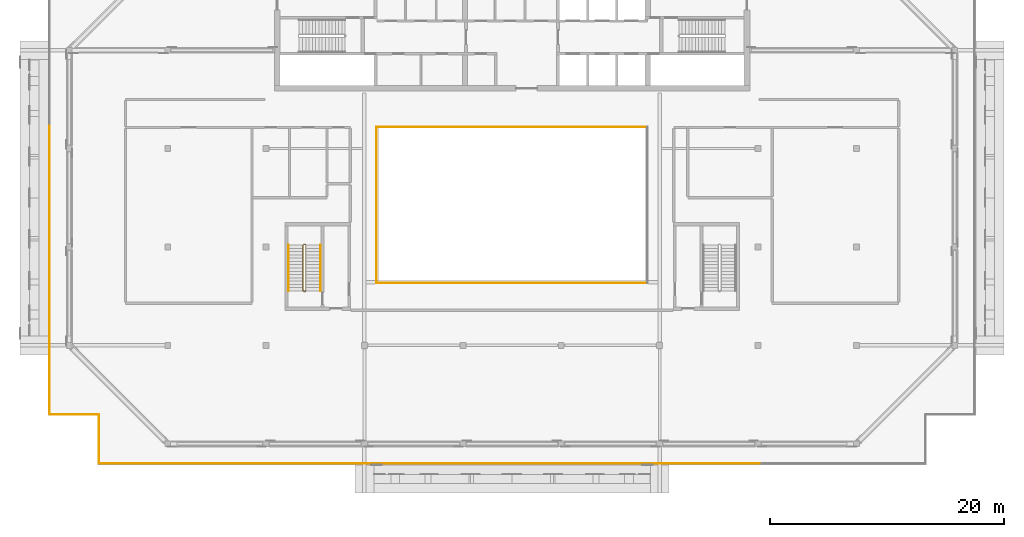
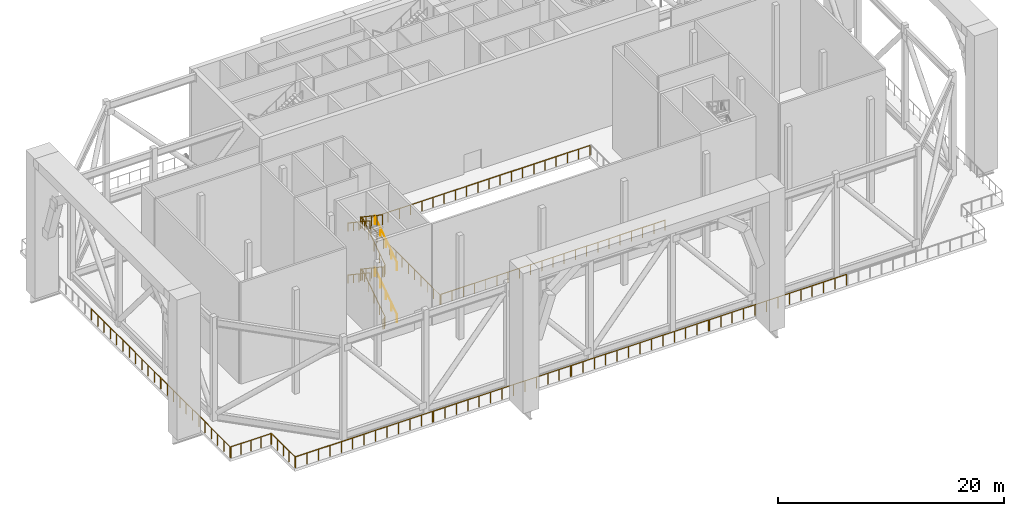
# One storey, part 17 of 20: 16 railings.
"""IFC4 building model written with IfcOpenShell, lengths in metres."""

from ifc_helpers import new_model, si_unit, direction, frame, origin, origin_2d, place, context, subcontext, project, spatial, circle, extrude, material, type_object, element, save


model = new_model("IFC4")

# Units and contexts
model_context = context("Model", 3, precision=1e-05, world=origin(), true_north=direction((0.0, 1.0)))
body_context = subcontext(model_context, "Body", "Model", "MODEL_VIEW")
ifc_project = project(units=[si_unit("LENGTHUNIT", "METRE"), si_unit("AREAUNIT", "SQUARE_METRE"), si_unit("VOLUMEUNIT", "CUBIC_METRE"), si_unit("PLANEANGLEUNIT", "RADIAN"), si_unit("MASSUNIT", "GRAM", prefix="KILO")], contexts=[model_context])

# Site, building, storey
site_placement = place(None, origin())
site = spatial("IfcSite", under=ifc_project, at=site_placement, CompositionType="ELEMENT")
building_placement = place(site_placement, origin())
building = spatial("IfcBuilding", under=site, at=building_placement, Name="Saffron Gate Tower", CompositionType="ELEMENT")
storey_placement = place(building_placement, frame((0.0, 0.0, 252.300048828125)))
storey = spatial("IfcBuildingStorey", under=building, at=storey_placement, Name="L62", CompositionType="ELEMENT", Elevation=252.300048828125)

# Railings
ifc_material_1 = material(Name="Stainless steel and laminated glass", Category="steel")
railing_type_1 = type_object("IfcRailingType", Name="AG1 Atrium edge guard 1100", PredefinedType="GUARDRAIL", material=ifc_material_1)
railing_1_placement = place(storey_placement, frame((76.02001953125, 45.5400390625, 0.0)))
element("IfcRailing", 1, at=railing_1_placement, inside=storey, type_object=railing_type_1, Name="Guard X3-1", PredefinedType="GUARDRAIL", context=body_context, shape_type="SweptSolid", body=[
    extrude(circle(Radius=0.02392578125, at=origin_2d()), frame((0.0, 0.0, 1.076171875), z_axis=(0.0, 1.0, 0.0), x_axis=(-1.0, 0.0, 0.0)), (0.0, 0.0, 1.0), 13.320068359375),
    extrude(circle(Radius=0.02099609375, at=origin_2d()), origin(), (0.0, 0.0, 1.0), 1.052001953125),
    extrude(circle(Radius=0.02099609375, at=origin_2d()), frame((0.0, 1.110107421875, 0.0)), (0.0, 0.0, 1.0), 1.052001953125),
    extrude(circle(Radius=0.02099609375, at=origin_2d()), frame((0.0, 2.219970703125, 0.0)), (0.0, 0.0, 1.0), 1.052001953125),
    extrude(circle(Radius=0.02099609375, at=origin_2d()), frame((0.0, 3.330078125, 0.0)), (0.0, 0.0, 1.0), 1.052001953125),
    extrude(circle(Radius=0.02099609375, at=origin_2d()), frame((0.0, 4.43994140625, 0.0)), (0.0, 0.0, 1.0), 1.052001953125),
    extrude(circle(Radius=0.02099609375, at=origin_2d()), frame((0.0, 5.550048828125, 0.0)), (0.0, 0.0, 1.0), 1.052001953125),
    extrude(circle(Radius=0.02099609375, at=origin_2d()), frame((0.0, 6.66015625, 0.0)), (0.0, 0.0, 1.0), 1.052001953125),
    extrude(circle(Radius=0.02099609375, at=origin_2d()), frame((0.0, 7.77001953125, 0.0)), (0.0, 0.0, 1.0), 1.052001953125),
    extrude(circle(Radius=0.02099609375, at=origin_2d()), frame((0.0, 8.880126953125, 0.0)), (0.0, 0.0, 1.0), 1.052001953125),
    extrude(circle(Radius=0.02099609375, at=origin_2d()), frame((0.0, 9.989990234375, 0.0)), (0.0, 0.0, 1.0), 1.052001953125),
    extrude(circle(Radius=0.02099609375, at=origin_2d()), frame((0.0, 11.10009765625, 0.0)), (0.0, 0.0, 1.0), 1.052001953125),
    extrude(circle(Radius=0.02099609375, at=origin_2d()), frame((0.0, 12.2099609375, 0.0)), (0.0, 0.0, 1.0), 1.052001953125),
    extrude(circle(Radius=0.02099609375, at=origin_2d()), frame((0.0, 13.320068359375, 0.0)), (0.0, 0.0, 1.0), 1.052001953125),
])
railing_2_placement = place(storey_placement, frame((76.139892578125, 58.860107421875, 0.0)))
element("IfcRailing", 2, at=railing_2_placement, inside=storey, type_object=railing_type_1, Name="Guard X3-2", PredefinedType="GUARDRAIL", context=body_context, shape_type="SweptSolid", body=[
    extrude(circle(Radius=0.02392578125, at=origin_2d()), frame((0.0, 0.0, 1.076171875), z_axis=(1.0, 0.0, 0.0), x_axis=(0.0, 1.0, 0.0)), (0.0, 0.0, 1.0), 22.920166015625),
    extrude(circle(Radius=0.02099609375, at=origin_2d()), origin(), (0.0, 0.0, 1.0), 1.052001953125),
    extrude(circle(Radius=0.02099609375, at=origin_2d()), frame((1.14599609375, 0.0, 0.0)), (0.0, 0.0, 1.0), 1.052001953125),
    extrude(circle(Radius=0.02099609375, at=origin_2d()), frame((2.2919921875, 0.0, 0.0)), (0.0, 0.0, 1.0), 1.052001953125),
    extrude(circle(Radius=0.02099609375, at=origin_2d()), frame((3.43798828125, 0.0, 0.0)), (0.0, 0.0, 1.0), 1.052001953125),
    extrude(circle(Radius=0.02099609375, at=origin_2d()), frame((4.583984375, 0.0, 0.0)), (0.0, 0.0, 1.0), 1.052001953125),
    extrude(circle(Radius=0.02099609375, at=origin_2d()), frame((5.72998046875, 0.0, 0.0)), (0.0, 0.0, 1.0), 1.052001953125),
    extrude(circle(Radius=0.02099609375, at=origin_2d()), frame((6.8759765625, 0.0, 0.0)), (0.0, 0.0, 1.0), 1.052001953125),
    extrude(circle(Radius=0.02099609375, at=origin_2d()), frame((8.02197265625, 0.0, 0.0)), (0.0, 0.0, 1.0), 1.052001953125),
    extrude(circle(Radius=0.02099609375, at=origin_2d()), frame((9.16796875, 0.0, 0.0)), (0.0, 0.0, 1.0), 1.052001953125),
    extrude(circle(Radius=0.02099609375, at=origin_2d()), frame((10.31396484375, 0.0, 0.0)), (0.0, 0.0, 1.0), 1.052001953125),
    extrude(circle(Radius=0.02099609375, at=origin_2d()), frame((11.4599609375, 0.0, 0.0)), (0.0, 0.0, 1.0), 1.052001953125),
    extrude(circle(Radius=0.02099609375, at=origin_2d()), frame((12.606201171875, 0.0, 0.0)), (0.0, 0.0, 1.0), 1.052001953125),
    extrude(circle(Radius=0.02099609375, at=origin_2d()), frame((13.752197265625, 0.0, 0.0)), (0.0, 0.0, 1.0), 1.052001953125),
    extrude(circle(Radius=0.02099609375, at=origin_2d()), frame((14.898193359375, 0.0, 0.0)), (0.0, 0.0, 1.0), 1.052001953125),
    extrude(circle(Radius=0.02099609375, at=origin_2d()), frame((16.044189453125, 0.0, 0.0)), (0.0, 0.0, 1.0), 1.052001953125),
    extrude(circle(Radius=0.02099609375, at=origin_2d()), frame((17.190185546875, 0.0, 0.0)), (0.0, 0.0, 1.0), 1.052001953125),
    extrude(circle(Radius=0.02099609375, at=origin_2d()), frame((18.336181640625, 0.0, 0.0)), (0.0, 0.0, 1.0), 1.052001953125),
    extrude(circle(Radius=0.02099609375, at=origin_2d()), frame((19.482177734375, 0.0, 0.0)), (0.0, 0.0, 1.0), 1.052001953125),
    extrude(circle(Radius=0.02099609375, at=origin_2d()), frame((20.628173828125, 0.0, 0.0)), (0.0, 0.0, 1.0), 1.052001953125),
    extrude(circle(Radius=0.02099609375, at=origin_2d()), frame((21.774169921875, 0.0, 0.0)), (0.0, 0.0, 1.0), 1.052001953125),
    extrude(circle(Radius=0.02099609375, at=origin_2d()), frame((22.920166015625, 0.0, 0.0)), (0.0, 0.0, 1.0), 1.052001953125),
])
railing_3_placement = place(storey_placement, frame((99.06005859375, 45.5400390625, 0.0)))
element("IfcRailing", 3, at=railing_3_placement, inside=storey, type_object=railing_type_1, Name="Guard X3-4", PredefinedType="GUARDRAIL", context=body_context, shape_type="SweptSolid", body=[
    extrude(circle(Radius=0.02392578125, at=origin_2d()), frame((0.0, 0.0, 1.076171875), z_axis=(-1.0, 0.0, 0.0), x_axis=(0.0, -1.0, 0.0)), (0.0, 0.0, 1.0), 22.920166015625),
    extrude(circle(Radius=0.02099609375, at=origin_2d()), origin(), (0.0, 0.0, 1.0), 1.052001953125),
    extrude(circle(Radius=0.02099609375, at=origin_2d()), frame((-1.14599609375, 0.0, 0.0)), (0.0, 0.0, 1.0), 1.052001953125),
    extrude(circle(Radius=0.02099609375, at=origin_2d()), frame((-2.2919921875, 0.0, 0.0)), (0.0, 0.0, 1.0), 1.052001953125),
    extrude(circle(Radius=0.02099609375, at=origin_2d()), frame((-3.43798828125, 0.0, 0.0)), (0.0, 0.0, 1.0), 1.052001953125),
    extrude(circle(Radius=0.02099609375, at=origin_2d()), frame((-4.583984375, 0.0, 0.0)), (0.0, 0.0, 1.0), 1.052001953125),
    extrude(circle(Radius=0.02099609375, at=origin_2d()), frame((-5.72998046875, 0.0, 0.0)), (0.0, 0.0, 1.0), 1.052001953125),
    extrude(circle(Radius=0.02099609375, at=origin_2d()), frame((-6.8759765625, 0.0, 0.0)), (0.0, 0.0, 1.0), 1.052001953125),
    extrude(circle(Radius=0.02099609375, at=origin_2d()), frame((-8.02197265625, 0.0, 0.0)), (0.0, 0.0, 1.0), 1.052001953125),
    extrude(circle(Radius=0.02099609375, at=origin_2d()), frame((-9.16796875, 0.0, 0.0)), (0.0, 0.0, 1.0), 1.052001953125),
    extrude(circle(Radius=0.02099609375, at=origin_2d()), frame((-10.31396484375, 0.0, 0.0)), (0.0, 0.0, 1.0), 1.052001953125),
    extrude(circle(Radius=0.02099609375, at=origin_2d()), frame((-11.4599609375, 0.0, 0.0)), (0.0, 0.0, 1.0), 1.052001953125),
    extrude(circle(Radius=0.02099609375, at=origin_2d()), frame((-12.606201171875, 0.0, 0.0)), (0.0, 0.0, 1.0), 1.052001953125),
    extrude(circle(Radius=0.02099609375, at=origin_2d()), frame((-13.752197265625, 0.0, 0.0)), (0.0, 0.0, 1.0), 1.052001953125),
    extrude(circle(Radius=0.02099609375, at=origin_2d()), frame((-14.898193359375, 0.0, 0.0)), (0.0, 0.0, 1.0), 1.052001953125),
    extrude(circle(Radius=0.02099609375, at=origin_2d()), frame((-16.044189453125, 0.0, 0.0)), (0.0, 0.0, 1.0), 1.052001953125),
    extrude(circle(Radius=0.02099609375, at=origin_2d()), frame((-17.190185546875, 0.0, 0.0)), (0.0, 0.0, 1.0), 1.052001953125),
    extrude(circle(Radius=0.02099609375, at=origin_2d()), frame((-18.336181640625, 0.0, 0.0)), (0.0, 0.0, 1.0), 1.052001953125),
    extrude(circle(Radius=0.02099609375, at=origin_2d()), frame((-19.482177734375, 0.0, 0.0)), (0.0, 0.0, 1.0), 1.052001953125),
    extrude(circle(Radius=0.02099609375, at=origin_2d()), frame((-20.628173828125, 0.0, 0.0)), (0.0, 0.0, 1.0), 1.052001953125),
    extrude(circle(Radius=0.02099609375, at=origin_2d()), frame((-21.774169921875, 0.0, 0.0)), (0.0, 0.0, 1.0), 1.052001953125),
    extrude(circle(Radius=0.02099609375, at=origin_2d()), frame((-22.920166015625, 0.0, 0.0)), (0.0, 0.0, 1.0), 1.052001953125),
])
ifc_material_2 = material(Name="Stainless steel posts and toughened glass infill", Category="steel")
railing_type_2 = type_object("IfcRailingType", Name="BAL1 balustrade 1200", PredefinedType="BALUSTRADE", material=ifc_material_2)
for number, where, name in (
    (4, (48.1201171875, 58.919921875, 0.0), "GUARD portal deck edge"),
    (5, (48.1201171875, 46.60009765625, 0.0), "GUARD portal deck edge"),
):
    element("IfcRailing", number, at=place(storey_placement, frame(where)), inside=storey, type_object=railing_type_2, Name=name, PredefinedType="BALUSTRADE", context=body_context, shape_type="SweptSolid", body=[
        extrude(circle(Radius=0.02392578125, at=origin_2d()), frame((0.0, 0.0, 1.17578125), z_axis=(0.0, -1.0, 0.0), x_axis=(1.0, 0.0, 0.0)), (0.0, 0.0, 1.0), 12.239990234375),
        extrude(circle(Radius=0.02099609375, at=origin_2d()), origin(), (0.0, 0.0, 1.0), 1.15185546875),
        extrude(circle(Radius=0.02099609375, at=origin_2d()), frame((0.0, -1.11279296875, 0.0)), (0.0, 0.0, 1.0), 1.15185546875),
        extrude(circle(Radius=0.02099609375, at=origin_2d()), frame((0.0, -2.225341796875, 0.0)), (0.0, 0.0, 1.0), 1.15185546875),
        extrude(circle(Radius=0.02099609375, at=origin_2d()), frame((0.0, -3.338134765625, 0.0)), (0.0, 0.0, 1.0), 1.15185546875),
        extrude(circle(Radius=0.02099609375, at=origin_2d()), frame((0.0, -4.450927734375, 0.0)), (0.0, 0.0, 1.0), 1.15185546875),
        extrude(circle(Radius=0.02099609375, at=origin_2d()), frame((0.0, -5.563720703125, 0.0)), (0.0, 0.0, 1.0), 1.15185546875),
        extrude(circle(Radius=0.02099609375, at=origin_2d()), frame((0.0, -6.67626953125, 0.0)), (0.0, 0.0, 1.0), 1.15185546875),
        extrude(circle(Radius=0.02099609375, at=origin_2d()), frame((0.0, -7.7890625, 0.0)), (0.0, 0.0, 1.0), 1.15185546875),
        extrude(circle(Radius=0.02099609375, at=origin_2d()), frame((0.0, -8.90185546875, 0.0)), (0.0, 0.0, 1.0), 1.15185546875),
        extrude(circle(Radius=0.02099609375, at=origin_2d()), frame((0.0, -10.0146484375, 0.0)), (0.0, 0.0, 1.0), 1.15185546875),
        extrude(circle(Radius=0.02099609375, at=origin_2d()), frame((0.0, -11.127197265625, 0.0)), (0.0, 0.0, 1.0), 1.15185546875),
        extrude(circle(Radius=0.02099609375, at=origin_2d()), frame((0.0, -12.239990234375, 0.0)), (0.0, 0.0, 1.0), 1.15185546875),
    ])
railing_4_placement = place(storey_placement, frame((48.159912109375, 34.320068359375, 0.0)))
element("IfcRailing", 6, at=railing_4_placement, inside=storey, type_object=railing_type_2, Name="GUARD portal deck edge", PredefinedType="BALUSTRADE", context=body_context, shape_type="SweptSolid", body=[
    extrude(circle(Radius=0.02392578125, at=origin_2d()), frame((0.0, 0.0, 1.17578125), z_axis=(1.0, 0.0, 0.0), x_axis=(0.0, 1.0, 0.0)), (0.0, 0.0, 1.0), 4.1201171875),
    extrude(circle(Radius=0.02099609375, at=origin_2d()), origin(), (0.0, 0.0, 1.0), 1.15185546875),
    extrude(circle(Radius=0.02099609375, at=origin_2d()), frame((1.030029296875, 0.0, 0.0)), (0.0, 0.0, 1.0), 1.15185546875),
    extrude(circle(Radius=0.02099609375, at=origin_2d()), frame((2.06005859375, 0.0, 0.0)), (0.0, 0.0, 1.0), 1.15185546875),
    extrude(circle(Radius=0.02099609375, at=origin_2d()), frame((3.090087890625, 0.0, 0.0)), (0.0, 0.0, 1.0), 1.15185546875),
    extrude(circle(Radius=0.02099609375, at=origin_2d()), frame((4.1201171875, 0.0, 0.0)), (0.0, 0.0, 1.0), 1.15185546875),
])
railing_5_placement = place(storey_placement, frame((52.320068359375, 34.280029296875, 0.0)))
element("IfcRailing", 7, at=railing_5_placement, inside=storey, type_object=railing_type_2, Name="GUARD portal deck edge", PredefinedType="BALUSTRADE", context=body_context, shape_type="SweptSolid", body=[
    extrude(circle(Radius=0.02392578125, at=origin_2d()), frame((0.0, 0.0, 1.17578125), z_axis=(0.0, -1.0, 0.0), x_axis=(1.0, 0.0, 0.0)), (0.0, 0.0, 1.0), 4.1201171875),
    extrude(circle(Radius=0.02099609375, at=origin_2d()), origin(), (0.0, 0.0, 1.0), 1.15185546875),
    extrude(circle(Radius=0.02099609375, at=origin_2d()), frame((0.0, -1.030029296875, 0.0)), (0.0, 0.0, 1.0), 1.15185546875),
    extrude(circle(Radius=0.02099609375, at=origin_2d()), frame((0.0, -2.06005859375, 0.0)), (0.0, 0.0, 1.0), 1.15185546875),
    extrude(circle(Radius=0.02099609375, at=origin_2d()), frame((0.0, -3.090087890625, 0.0)), (0.0, 0.0, 1.0), 1.15185546875),
    extrude(circle(Radius=0.02099609375, at=origin_2d()), frame((0.0, -4.1201171875, 0.0)), (0.0, 0.0, 1.0), 1.15185546875),
])
railing_6_placement = place(storey_placement, frame((52.360107421875, 30.1201171875, 0.0)))
element("IfcRailing", 8, at=railing_6_placement, inside=storey, type_object=railing_type_2, Name="GUARD portal deck edge", PredefinedType="BALUSTRADE", context=body_context, shape_type="SweptSolid", body=[
    extrude(circle(Radius=0.02392578125, at=origin_2d()), frame((0.0, 0.0, 1.17578125), z_axis=(1.0, 0.0, 0.0), x_axis=(0.0, 1.0, 0.0)), (0.0, 0.0, 1.0), 14.031982421875),
    extrude(circle(Radius=0.02099609375, at=origin_2d()), origin(), (0.0, 0.0, 1.0), 1.15185546875),
    extrude(circle(Radius=0.02099609375, at=origin_2d()), frame((1.16943359375, 0.0, 0.0)), (0.0, 0.0, 1.0), 1.15185546875),
    extrude(circle(Radius=0.02099609375, at=origin_2d()), frame((2.338623046875, 0.0, 0.0)), (0.0, 0.0, 1.0), 1.15185546875),
    extrude(circle(Radius=0.02099609375, at=origin_2d()), frame((3.508056640625, 0.0, 0.0)), (0.0, 0.0, 1.0), 1.15185546875),
    extrude(circle(Radius=0.02099609375, at=origin_2d()), frame((4.67724609375, 0.0, 0.0)), (0.0, 0.0, 1.0), 1.15185546875),
    extrude(circle(Radius=0.02099609375, at=origin_2d()), frame((5.8466796875, 0.0, 0.0)), (0.0, 0.0, 1.0), 1.15185546875),
    extrude(circle(Radius=0.02099609375, at=origin_2d()), frame((7.01611328125, 0.0, 0.0)), (0.0, 0.0, 1.0), 1.15185546875),
    extrude(circle(Radius=0.02099609375, at=origin_2d()), frame((8.185302734375, 0.0, 0.0)), (0.0, 0.0, 1.0), 1.15185546875),
    extrude(circle(Radius=0.02099609375, at=origin_2d()), frame((9.354736328125, 0.0, 0.0)), (0.0, 0.0, 1.0), 1.15185546875),
    extrude(circle(Radius=0.02099609375, at=origin_2d()), frame((10.52392578125, 0.0, 0.0)), (0.0, 0.0, 1.0), 1.15185546875),
    extrude(circle(Radius=0.02099609375, at=origin_2d()), frame((11.693359375, 0.0, 0.0)), (0.0, 0.0, 1.0), 1.15185546875),
    extrude(circle(Radius=0.02099609375, at=origin_2d()), frame((12.862548828125, 0.0, 0.0)), (0.0, 0.0, 1.0), 1.15185546875),
    extrude(circle(Radius=0.02099609375, at=origin_2d()), frame((14.031982421875, 0.0, 0.0)), (0.0, 0.0, 1.0), 1.15185546875),
])
railing_7_placement = place(storey_placement, frame((66.471923828125, 30.1201171875, 0.0)))
element("IfcRailing", 9, at=railing_7_placement, inside=storey, type_object=railing_type_2, Name="GUARD portal deck edge", PredefinedType="BALUSTRADE", context=body_context, shape_type="SweptSolid", body=[
    extrude(circle(Radius=0.02392578125, at=origin_2d()), frame((0.0, 0.0, 1.17578125), z_axis=(1.0, 0.0, 0.0), x_axis=(0.0, 1.0, 0.0)), (0.0, 0.0, 1.0), 14.031982421875),
    extrude(circle(Radius=0.02099609375, at=origin_2d()), origin(), (0.0, 0.0, 1.0), 1.15185546875),
    extrude(circle(Radius=0.02099609375, at=origin_2d()), frame((1.16943359375, 0.0, 0.0)), (0.0, 0.0, 1.0), 1.15185546875),
    extrude(circle(Radius=0.02099609375, at=origin_2d()), frame((2.338623046875, 0.0, 0.0)), (0.0, 0.0, 1.0), 1.15185546875),
    extrude(circle(Radius=0.02099609375, at=origin_2d()), frame((3.508056640625, 0.0, 0.0)), (0.0, 0.0, 1.0), 1.15185546875),
    extrude(circle(Radius=0.02099609375, at=origin_2d()), frame((4.67724609375, 0.0, 0.0)), (0.0, 0.0, 1.0), 1.15185546875),
    extrude(circle(Radius=0.02099609375, at=origin_2d()), frame((5.8466796875, 0.0, 0.0)), (0.0, 0.0, 1.0), 1.15185546875),
    extrude(circle(Radius=0.02099609375, at=origin_2d()), frame((7.01611328125, 0.0, 0.0)), (0.0, 0.0, 1.0), 1.15185546875),
    extrude(circle(Radius=0.02099609375, at=origin_2d()), frame((8.185302734375, 0.0, 0.0)), (0.0, 0.0, 1.0), 1.15185546875),
    extrude(circle(Radius=0.02099609375, at=origin_2d()), frame((9.354736328125, 0.0, 0.0)), (0.0, 0.0, 1.0), 1.15185546875),
    extrude(circle(Radius=0.02099609375, at=origin_2d()), frame((10.52392578125, 0.0, 0.0)), (0.0, 0.0, 1.0), 1.15185546875),
    extrude(circle(Radius=0.02099609375, at=origin_2d()), frame((11.693359375, 0.0, 0.0)), (0.0, 0.0, 1.0), 1.15185546875),
    extrude(circle(Radius=0.02099609375, at=origin_2d()), frame((12.862548828125, 0.0, 0.0)), (0.0, 0.0, 1.0), 1.15185546875),
    extrude(circle(Radius=0.02099609375, at=origin_2d()), frame((14.031982421875, 0.0, 0.0)), (0.0, 0.0, 1.0), 1.15185546875),
])
railing_8_placement = place(storey_placement, frame((80.583984375, 30.1201171875, 0.0)))
element("IfcRailing", 10, at=railing_8_placement, inside=storey, type_object=railing_type_2, Name="GUARD portal deck edge", PredefinedType="BALUSTRADE", context=body_context, shape_type="SweptSolid", body=[
    extrude(circle(Radius=0.02392578125, at=origin_2d()), frame((0.0, 0.0, 1.17578125), z_axis=(1.0, 0.0, 0.0), x_axis=(0.0, 1.0, 0.0)), (0.0, 0.0, 1.0), 14.031982421875),
    extrude(circle(Radius=0.02099609375, at=origin_2d()), origin(), (0.0, 0.0, 1.0), 1.15185546875),
    extrude(circle(Radius=0.02099609375, at=origin_2d()), frame((1.16943359375, 0.0, 0.0)), (0.0, 0.0, 1.0), 1.15185546875),
    extrude(circle(Radius=0.02099609375, at=origin_2d()), frame((2.338623046875, 0.0, 0.0)), (0.0, 0.0, 1.0), 1.15185546875),
    extrude(circle(Radius=0.02099609375, at=origin_2d()), frame((3.508056640625, 0.0, 0.0)), (0.0, 0.0, 1.0), 1.15185546875),
    extrude(circle(Radius=0.02099609375, at=origin_2d()), frame((4.67724609375, 0.0, 0.0)), (0.0, 0.0, 1.0), 1.15185546875),
    extrude(circle(Radius=0.02099609375, at=origin_2d()), frame((5.8466796875, 0.0, 0.0)), (0.0, 0.0, 1.0), 1.15185546875),
    extrude(circle(Radius=0.02099609375, at=origin_2d()), frame((7.01611328125, 0.0, 0.0)), (0.0, 0.0, 1.0), 1.15185546875),
    extrude(circle(Radius=0.02099609375, at=origin_2d()), frame((8.185302734375, 0.0, 0.0)), (0.0, 0.0, 1.0), 1.15185546875),
    extrude(circle(Radius=0.02099609375, at=origin_2d()), frame((9.354736328125, 0.0, 0.0)), (0.0, 0.0, 1.0), 1.15185546875),
    extrude(circle(Radius=0.02099609375, at=origin_2d()), frame((10.52392578125, 0.0, 0.0)), (0.0, 0.0, 1.0), 1.15185546875),
    extrude(circle(Radius=0.02099609375, at=origin_2d()), frame((11.693359375, 0.0, 0.0)), (0.0, 0.0, 1.0), 1.15185546875),
    extrude(circle(Radius=0.02099609375, at=origin_2d()), frame((12.862548828125, 0.0, 0.0)), (0.0, 0.0, 1.0), 1.15185546875),
    extrude(circle(Radius=0.02099609375, at=origin_2d()), frame((14.031982421875, 0.0, 0.0)), (0.0, 0.0, 1.0), 1.15185546875),
])
railing_9_placement = place(storey_placement, frame((94.696044921875, 30.1201171875, 0.0)))
element("IfcRailing", 11, at=railing_9_placement, inside=storey, type_object=railing_type_2, Name="GUARD portal deck edge", PredefinedType="BALUSTRADE", context=body_context, shape_type="SweptSolid", body=[
    extrude(circle(Radius=0.02392578125, at=origin_2d()), frame((0.0, 0.0, 1.17578125), z_axis=(1.0, 0.0, 0.0), x_axis=(0.0, 1.0, 0.0)), (0.0, 0.0, 1.0), 14.031982421875),
    extrude(circle(Radius=0.02099609375, at=origin_2d()), origin(), (0.0, 0.0, 1.0), 1.15185546875),
    extrude(circle(Radius=0.02099609375, at=origin_2d()), frame((1.16943359375, 0.0, 0.0)), (0.0, 0.0, 1.0), 1.15185546875),
    extrude(circle(Radius=0.02099609375, at=origin_2d()), frame((2.338623046875, 0.0, 0.0)), (0.0, 0.0, 1.0), 1.15185546875),
    extrude(circle(Radius=0.02099609375, at=origin_2d()), frame((3.508056640625, 0.0, 0.0)), (0.0, 0.0, 1.0), 1.15185546875),
    extrude(circle(Radius=0.02099609375, at=origin_2d()), frame((4.67724609375, 0.0, 0.0)), (0.0, 0.0, 1.0), 1.15185546875),
    extrude(circle(Radius=0.02099609375, at=origin_2d()), frame((5.8466796875, 0.0, 0.0)), (0.0, 0.0, 1.0), 1.15185546875),
    extrude(circle(Radius=0.02099609375, at=origin_2d()), frame((7.01611328125, 0.0, 0.0)), (0.0, 0.0, 1.0), 1.15185546875),
    extrude(circle(Radius=0.02099609375, at=origin_2d()), frame((8.185302734375, 0.0, 0.0)), (0.0, 0.0, 1.0), 1.15185546875),
    extrude(circle(Radius=0.02099609375, at=origin_2d()), frame((9.354736328125, 0.0, 0.0)), (0.0, 0.0, 1.0), 1.15185546875),
    extrude(circle(Radius=0.02099609375, at=origin_2d()), frame((10.52392578125, 0.0, 0.0)), (0.0, 0.0, 1.0), 1.15185546875),
    extrude(circle(Radius=0.02099609375, at=origin_2d()), frame((11.693359375, 0.0, 0.0)), (0.0, 0.0, 1.0), 1.15185546875),
    extrude(circle(Radius=0.02099609375, at=origin_2d()), frame((12.862548828125, 0.0, 0.0)), (0.0, 0.0, 1.0), 1.15185546875),
    extrude(circle(Radius=0.02099609375, at=origin_2d()), frame((14.031982421875, 0.0, 0.0)), (0.0, 0.0, 1.0), 1.15185546875),
])
railing_type_3 = type_object("IfcRailingType", Name="CR1 Stair guard 1100", PredefinedType="GUARDRAIL", material=ifc_material_1)
railing_10_placement = place(storey_placement, frame((69.800048828125, 44.800048828125, 0.0)))
element("IfcRailing", 12, at=railing_10_placement, inside=storey, type_object=railing_type_3, Name="L62 ST-D stair guard 1", PredefinedType="GUARDRAIL", context=body_context, shape_type="SweptSolid", body=[
    extrude(circle(Radius=0.02392578125, at=origin_2d()), frame((0.0, 0.0, 1.076171875), z_axis=(1.0, 0.0, 0.0), x_axis=(0.0, 1.0, 0.0)), (0.0, 0.0, 1.0), 0.14990234375),
    extrude(circle(Radius=0.02392578125, at=origin_2d()), frame((0.14990234375, 0.0, 1.076171875), z_axis=(0.249726431254, 0.249726431254, 0.935560483917), x_axis=(-0.707106781187, 0.707106781187, 0.0)), (0.0, 0.0, 1.0), 0.200439453125),
    extrude(circle(Radius=0.02392578125, at=origin_2d()), frame((0.199951171875, 0.050048828125, 1.263671875), z_axis=(0.0, 0.830902050051, 0.556418712142), x_axis=(-1.0, 0.0, 0.0)), (0.0, 0.0, 1.0), 4.7177734375),
    extrude(circle(Radius=0.02392578125, at=origin_2d()), frame((0.199951171875, 3.969970703125, 3.888671875), z_axis=(-0.707106781187, 0.707106781187, 0.0), x_axis=(-0.707106781187, -0.707106781187, 0.0)), (0.0, 0.0, 1.0), 0.07080078125),
    extrude(circle(Radius=0.02392578125, at=origin_2d()), frame((0.14990234375, 4.02001953125, 3.888671875), z_axis=(-1.0, 0.0, 0.0), x_axis=(0.0, -1.0, 0.0)), (0.0, 0.0, 1.0), 0.14990234375),
    extrude(circle(Radius=0.02392578125, at=origin_2d()), frame((0.0, 4.02001953125, 3.888671875), z_axis=(-0.249726431254, -0.249726431254, 0.935560483917), x_axis=(0.707106781187, -0.707106781187, 0.0)), (0.0, 0.0, 1.0), 0.200439453125),
    extrude(circle(Radius=0.02392578125, at=origin_2d()), frame((-0.050048828125, 3.969970703125, 4.076171875), z_axis=(0.0, -0.830902050051, 0.556418712142), x_axis=(1.0, 0.0, 0.0)), (0.0, 0.0, 1.0), 4.7177734375),
    extrude(circle(Radius=0.02392578125, at=origin_2d()), frame((-0.050048828125, 0.050048828125, 6.701171875), z_axis=(0.707106781187, -0.707106781187, 0.0), x_axis=(0.707106781187, 0.707106781187, 0.0)), (0.0, 0.0, 1.0), 0.07080078125),
    extrude(circle(Radius=0.02392578125, at=origin_2d()), frame((0.0, 0.0, 6.701171875), z_axis=(1.0, 0.0, 0.0), x_axis=(0.0, 1.0, 0.0)), (0.0, 0.0, 1.0), 0.14990234375),
    extrude(circle(Radius=0.02392578125, at=origin_2d()), frame((0.14990234375, 0.0, 6.701171875), z_axis=(0.249726431254, 0.249726431254, 0.935560483917), x_axis=(-0.707106781187, 0.707106781187, 0.0)), (0.0, 0.0, 1.0), 0.200439453125),
    extrude(circle(Radius=0.02392578125, at=origin_2d()), frame((0.199951171875, 0.050048828125, 6.888671875), z_axis=(0.0, 0.830902050051, 0.556418712142), x_axis=(-1.0, 0.0, 0.0)), (0.0, 0.0, 1.0), 4.7177734375),
    extrude(circle(Radius=0.02392578125, at=origin_2d()), frame((0.199951171875, 3.969970703125, 9.513671875), z_axis=(-0.707106781187, 0.707106781187, 0.0), x_axis=(-0.707106781187, -0.707106781187, 0.0)), (0.0, 0.0, 1.0), 0.07080078125),
    extrude(circle(Radius=0.02392578125, at=origin_2d()), frame((0.14990234375, 4.02001953125, 9.513671875), z_axis=(-1.0, 0.0, 0.0), x_axis=(0.0, -1.0, 0.0)), (0.0, 0.0, 1.0), 0.14990234375),
    extrude(circle(Radius=0.02392578125, at=origin_2d()), frame((0.0, 4.02001953125, 9.513671875), z_axis=(-0.249726431254, -0.249726431254, 0.935560483917), x_axis=(0.707106781187, -0.707106781187, 0.0)), (0.0, 0.0, 1.0), 0.200439453125),
    extrude(circle(Radius=0.02392578125, at=origin_2d()), frame((-0.050048828125, 3.969970703125, 9.701171875), z_axis=(0.0, -0.830902050051, 0.556418712142), x_axis=(1.0, 0.0, 0.0)), (0.0, 0.0, 1.0), 4.7177734375),
    extrude(circle(Radius=0.02099609375, at=origin_2d()), origin(), (0.0, 0.0, 1.0), 1.052001953125),
    extrude(circle(Radius=0.02099609375, at=origin_2d()), frame((0.14990234375, 0.0, 0.0)), (0.0, 0.0, 1.0), 1.052001953125),
    extrude(circle(Radius=0.02099609375, at=origin_2d()), frame((0.199951171875, 0.050048828125, 0.1875)), (0.0, 0.0, 1.0), 1.052001953125),
    extrude(circle(Radius=0.02099609375, at=origin_2d()), frame((0.199951171875, 1.030029296875, 0.84375)), (0.0, 0.0, 1.0), 1.052001953125),
    extrude(circle(Radius=0.02099609375, at=origin_2d()), frame((0.199951171875, 2.010009765625, 1.5)), (0.0, 0.0, 1.0), 1.052001953125),
    extrude(circle(Radius=0.02099609375, at=origin_2d()), frame((0.199951171875, 2.989990234375, 2.15625)), (0.0, 0.0, 1.0), 1.052001953125),
    extrude(circle(Radius=0.02099609375, at=origin_2d()), frame((0.199951171875, 3.969970703125, 2.8125)), (0.0, 0.0, 1.0), 1.052001953125),
    extrude(circle(Radius=0.02099609375, at=origin_2d()), frame((0.14990234375, 4.02001953125, 2.8125)), (0.0, 0.0, 1.0), 1.052001953125),
    extrude(circle(Radius=0.02099609375, at=origin_2d()), frame((0.0, 4.02001953125, 2.8125)), (0.0, 0.0, 1.0), 1.052001953125),
    extrude(circle(Radius=0.02099609375, at=origin_2d()), frame((-0.050048828125, 3.969970703125, 3.0)), (0.0, 0.0, 1.0), 1.052001953125),
    extrude(circle(Radius=0.02099609375, at=origin_2d()), frame((-0.050048828125, 2.989990234375, 3.65625)), (0.0, 0.0, 1.0), 1.052001953125),
    extrude(circle(Radius=0.02099609375, at=origin_2d()), frame((-0.050048828125, 2.010009765625, 4.3125)), (0.0, 0.0, 1.0), 1.052001953125),
    extrude(circle(Radius=0.02099609375, at=origin_2d()), frame((-0.050048828125, 1.030029296875, 4.96875)), (0.0, 0.0, 1.0), 1.052001953125),
    extrude(circle(Radius=0.02099609375, at=origin_2d()), frame((-0.050048828125, 0.050048828125, 5.625)), (0.0, 0.0, 1.0), 1.052001953125),
    extrude(circle(Radius=0.02099609375, at=origin_2d()), frame((0.0, 0.0, 5.625)), (0.0, 0.0, 1.0), 1.052001953125),
    extrude(circle(Radius=0.02099609375, at=origin_2d()), frame((0.14990234375, 0.0, 5.625)), (0.0, 0.0, 1.0), 1.052001953125),
    extrude(circle(Radius=0.02099609375, at=origin_2d()), frame((0.199951171875, 0.050048828125, 5.8125)), (0.0, 0.0, 1.0), 1.052001953125),
    extrude(circle(Radius=0.02099609375, at=origin_2d()), frame((0.199951171875, 1.030029296875, 6.46875)), (0.0, 0.0, 1.0), 1.052001953125),
    extrude(circle(Radius=0.02099609375, at=origin_2d()), frame((0.199951171875, 2.010009765625, 7.125)), (0.0, 0.0, 1.0), 1.052001953125),
    extrude(circle(Radius=0.02099609375, at=origin_2d()), frame((0.199951171875, 2.989990234375, 7.78125)), (0.0, 0.0, 1.0), 1.052001953125),
    extrude(circle(Radius=0.02099609375, at=origin_2d()), frame((0.199951171875, 3.969970703125, 8.4375)), (0.0, 0.0, 1.0), 1.052001953125),
    extrude(circle(Radius=0.02099609375, at=origin_2d()), frame((0.14990234375, 4.02001953125, 8.4375)), (0.0, 0.0, 1.0), 1.052001953125),
    extrude(circle(Radius=0.02099609375, at=origin_2d()), frame((0.0, 4.02001953125, 8.4375)), (0.0, 0.0, 1.0), 1.052001953125),
    extrude(circle(Radius=0.02099609375, at=origin_2d()), frame((-0.050048828125, 3.969970703125, 8.625)), (0.0, 0.0, 1.0), 1.052001953125),
    extrude(circle(Radius=0.02099609375, at=origin_2d()), frame((-0.050048828125, 2.989990234375, 9.28125)), (0.0, 0.0, 1.0), 1.052001953125),
    extrude(circle(Radius=0.02099609375, at=origin_2d()), frame((-0.050048828125, 2.010009765625, 9.9375)), (0.0, 0.0, 1.0), 1.052001953125),
    extrude(circle(Radius=0.02099609375, at=origin_2d()), frame((-0.050048828125, 1.030029296875, 10.59375)), (0.0, 0.0, 1.0), 1.052001953125),
    extrude(circle(Radius=0.02099609375, at=origin_2d()), frame((-0.050048828125, 0.050048828125, 11.25)), (0.0, 0.0, 1.0), 1.052001953125),
])
ifc_material_3 = material(Name="Stainless steel", Category="steel")
railing_type_4 = type_object("IfcRailingType", Name="CR2 Stair handrail 900", PredefinedType="HANDRAIL", material=ifc_material_3)
railing_11_placement = place(storey_placement, frame((71.25, 44.85009765625, 0.1875)))
element("IfcRailing", 13, at=railing_11_placement, inside=storey, type_object=railing_type_4, Name="L62 ST-D stair handrail 1", PredefinedType="HANDRAIL", context=body_context, shape_type="SweptSolid", body=[
    extrude(circle(Radius=0.02392578125, at=origin_2d()), frame((0.0, 0.0, 0.8759765625), z_axis=(0.0, 0.830902050051, 0.556418712142), x_axis=(-1.0, 0.0, 0.0)), (0.0, 0.0, 1.0), 4.7177734375),
    extrude(circle(Radius=0.02099609375, at=origin_2d()), origin(), (0.0, 0.0, 1.0), 0.851806640625),
    extrude(circle(Radius=0.02099609375, at=origin_2d()), frame((0.0, 0.97998046875, 0.65625)), (0.0, 0.0, 1.0), 0.851806640625),
    extrude(circle(Radius=0.02099609375, at=origin_2d()), frame((0.0, 1.9599609375, 1.3125)), (0.0, 0.0, 1.0), 0.851806640625),
    extrude(circle(Radius=0.02099609375, at=origin_2d()), frame((0.0, 2.93994140625, 1.96875)), (0.0, 0.0, 1.0), 0.851806640625),
    extrude(circle(Radius=0.02099609375, at=origin_2d()), frame((0.0, 3.919921875, 2.625)), (0.0, 0.0, 1.0), 0.851806640625),
])
railing_12_placement = place(storey_placement, frame((68.5, 48.77001953125, 3.0)))
element("IfcRailing", 14, at=railing_12_placement, inside=storey, type_object=railing_type_4, Name="L62 ST-D stair handrail 2", PredefinedType="HANDRAIL", context=body_context, shape_type="SweptSolid", body=[
    extrude(circle(Radius=0.02392578125, at=origin_2d()), frame((0.0, 0.0, 0.8759765625), z_axis=(0.0, -0.830902050051, 0.556418712142), x_axis=(1.0, 0.0, 0.0)), (0.0, 0.0, 1.0), 4.7177734375),
    extrude(circle(Radius=0.02099609375, at=origin_2d()), origin(), (0.0, 0.0, 1.0), 0.851806640625),
    extrude(circle(Radius=0.02099609375, at=origin_2d()), frame((0.0, -0.97998046875, 0.65625)), (0.0, 0.0, 1.0), 0.851806640625),
    extrude(circle(Radius=0.02099609375, at=origin_2d()), frame((0.0, -1.9599609375, 1.3125)), (0.0, 0.0, 1.0), 0.851806640625),
    extrude(circle(Radius=0.02099609375, at=origin_2d()), frame((0.0, -2.93994140625, 1.96875)), (0.0, 0.0, 1.0), 0.851806640625),
    extrude(circle(Radius=0.02099609375, at=origin_2d()), frame((0.0, -3.919921875, 2.625)), (0.0, 0.0, 1.0), 0.851806640625),
])
railing_13_placement = place(storey_placement, frame((71.25, 44.85009765625, 5.8125)))
element("IfcRailing", 15, at=railing_13_placement, inside=storey, type_object=railing_type_4, Name="L62 ST-D stair handrail 3", PredefinedType="HANDRAIL", context=body_context, shape_type="SweptSolid", body=[
    extrude(circle(Radius=0.02392578125, at=origin_2d()), frame((0.0, 0.0, 0.8759765625), z_axis=(0.0, 0.830902050051, 0.556418712142), x_axis=(-1.0, 0.0, 0.0)), (0.0, 0.0, 1.0), 4.7177734375),
    extrude(circle(Radius=0.02099609375, at=origin_2d()), origin(), (0.0, 0.0, 1.0), 0.851806640625),
    extrude(circle(Radius=0.02099609375, at=origin_2d()), frame((0.0, 0.97998046875, 0.65625)), (0.0, 0.0, 1.0), 0.851806640625),
    extrude(circle(Radius=0.02099609375, at=origin_2d()), frame((0.0, 1.9599609375, 1.3125)), (0.0, 0.0, 1.0), 0.851806640625),
    extrude(circle(Radius=0.02099609375, at=origin_2d()), frame((0.0, 2.93994140625, 1.96875)), (0.0, 0.0, 1.0), 0.851806640625),
    extrude(circle(Radius=0.02099609375, at=origin_2d()), frame((0.0, 3.919921875, 2.625)), (0.0, 0.0, 1.0), 0.851806640625),
])
railing_14_placement = place(storey_placement, frame((68.5, 48.77001953125, 8.625)))
element("IfcRailing", 16, at=railing_14_placement, inside=storey, type_object=railing_type_4, Name="L62 ST-D stair handrail 4", PredefinedType="HANDRAIL", context=body_context, shape_type="SweptSolid", body=[
    extrude(circle(Radius=0.02392578125, at=origin_2d()), frame((0.0, 0.0, 0.8759765625), z_axis=(0.0, -0.830902050051, 0.556418712142), x_axis=(1.0, 0.0, 0.0)), (0.0, 0.0, 1.0), 4.7177734375),
    extrude(circle(Radius=0.02099609375, at=origin_2d()), origin(), (0.0, 0.0, 1.0), 0.851806640625),
    extrude(circle(Radius=0.02099609375, at=origin_2d()), frame((0.0, -0.97998046875, 0.65625)), (0.0, 0.0, 1.0), 0.851806640625),
    extrude(circle(Radius=0.02099609375, at=origin_2d()), frame((0.0, -1.9599609375, 1.3125)), (0.0, 0.0, 1.0), 0.851806640625),
    extrude(circle(Radius=0.02099609375, at=origin_2d()), frame((0.0, -2.93994140625, 1.96875)), (0.0, 0.0, 1.0), 0.851806640625),
    extrude(circle(Radius=0.02099609375, at=origin_2d()), frame((0.0, -3.919921875, 2.625)), (0.0, 0.0, 1.0), 0.851806640625),
])

save(model, "model.ifc")
